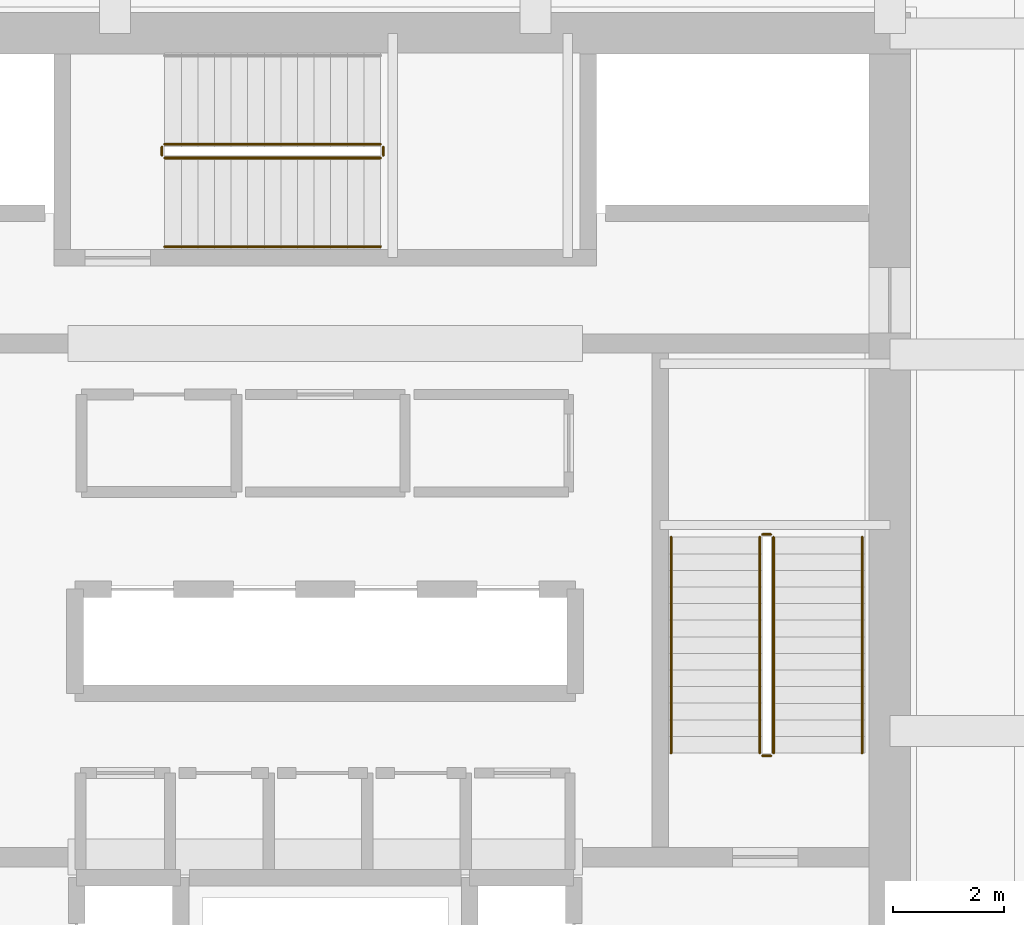
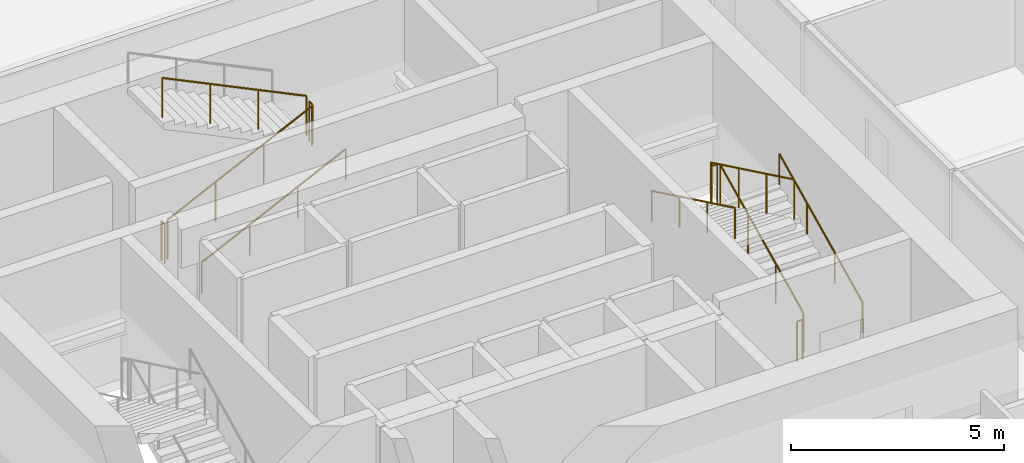
# One storey, part 21 of 28: 11 railings.
"""IFC4 building model written with IfcOpenShell, lengths in metres."""

from ifc_helpers import new_model, si_unit, direction, frame, origin, origin_2d, place, context, subcontext, project, spatial, circle, extrude, material, type_object, element, save


model = new_model("IFC4")

# Units and contexts
model_context = context("Model", 3, precision=1e-05, world=origin(), true_north=direction((0.0, 1.0)))
body_context = subcontext(model_context, "Body", "Model", "MODEL_VIEW")
ifc_project = project(units=[si_unit("LENGTHUNIT", "METRE"), si_unit("AREAUNIT", "SQUARE_METRE"), si_unit("VOLUMEUNIT", "CUBIC_METRE"), si_unit("PLANEANGLEUNIT", "RADIAN"), si_unit("MASSUNIT", "GRAM", prefix="KILO")], contexts=[model_context])

# Site, building, storey
site_placement = place(None, origin())
site = spatial("IfcSite", under=ifc_project, at=site_placement, CompositionType="ELEMENT")
building_placement = place(site_placement, origin())
building = spatial("IfcBuilding", under=site, at=building_placement, Name="Punatoya Terracotta Tower", CompositionType="ELEMENT")
storey_placement = place(building_placement, frame((0.0, 0.0, 93.0)))
storey = spatial("IfcBuildingStorey", under=building, at=storey_placement, Name="L21", CompositionType="ELEMENT", Elevation=93.0)

# Railings
ifc_material = material(Name="Steel S355", Category="steel")
railing_type_1 = type_object("IfcRailingType", Name="RLG-GRD-1150", PredefinedType="GUARDRAIL", material=ifc_material)
railing_1_placement = place(storey_placement, frame((8.10009765625, -3.800048828125, 0.14453125)))
element("IfcRailing", 1, at=railing_1_placement, inside=storey, type_object=railing_type_1, Name="L21 ST-2 stair guard 1", PredefinedType="GUARDRAIL", context=body_context, shape_type="SweptSolid", body=[
    extrude(circle(Radius=0.02392578125, at=origin_2d()), frame((0.0, 0.0, 1.1259765625), z_axis=(0.0, 0.900773802044, 0.434288564841), x_axis=(-1.0, 0.0, 0.0)), (0.0, 0.0, 1.0), 4.329833984375),
    extrude(circle(Radius=0.02099609375, at=origin_2d()), origin(), (0.0, 0.0, 1.0), 1.101806640625),
    extrude(circle(Radius=0.02099609375, at=origin_2d()), frame((0.0, 1.300048828125, 0.626708984375)), (0.0, 0.0, 1.0), 1.101806640625),
    extrude(circle(Radius=0.02099609375, at=origin_2d()), frame((0.0, 2.60009765625, 1.253662109375)), (0.0, 0.0, 1.0), 1.101806640625),
    extrude(circle(Radius=0.02099609375, at=origin_2d()), frame((0.0, 3.900146484375, 1.88037109375)), (0.0, 0.0, 1.0), 1.101806640625),
])
railing_2_placement = place(storey_placement, frame((8.050048828125, 0.14990234375, 2.02490234375)))
element("IfcRailing", 2, at=railing_2_placement, inside=storey, type_object=railing_type_1, Name="L21 ST-2 stair guard 2", PredefinedType="GUARDRAIL", context=body_context, shape_type="SweptSolid", body=[
    extrude(circle(Radius=0.02392578125, at=origin_2d()), frame((0.0, 0.0, 1.1259765625), z_axis=(-1.0, 0.0, 0.0), x_axis=(0.0, -1.0, 0.0)), (0.0, 0.0, 1.0), 0.150146484375),
    extrude(circle(Radius=0.02099609375, at=origin_2d()), origin(), (0.0, 0.0, 1.0), 1.101806640625),
    extrude(circle(Radius=0.02099609375, at=origin_2d()), frame((-0.150146484375, 0.0, 0.0)), (0.0, 0.0, 1.0), 1.101806640625),
])
railing_3_placement = place(storey_placement, frame((7.85009765625, 0.10009765625, 2.169677734375)))
element("IfcRailing", 3, at=railing_3_placement, inside=storey, type_object=railing_type_1, Name="L21 ST-2 stair guard 3", PredefinedType="GUARDRAIL", context=body_context, shape_type="SweptSolid", body=[
    extrude(circle(Radius=0.02392578125, at=origin_2d()), frame((0.0, 0.0, 1.1259765625), z_axis=(0.0, -0.900773802044, 0.434288564841), x_axis=(1.0, 0.0, 0.0)), (0.0, 0.0, 1.0), 4.329833984375),
    extrude(circle(Radius=0.02099609375, at=origin_2d()), origin(), (0.0, 0.0, 1.0), 1.101806640625),
    extrude(circle(Radius=0.02099609375, at=origin_2d()), frame((0.0, -1.300048828125, 0.626708984375)), (0.0, 0.0, 1.0), 1.101806640625),
    extrude(circle(Radius=0.02099609375, at=origin_2d()), frame((0.0, -2.60009765625, 1.253662109375)), (0.0, 0.0, 1.0), 1.101806640625),
    extrude(circle(Radius=0.02099609375, at=origin_2d()), frame((0.0, -3.900146484375, 1.88037109375)), (0.0, 0.0, 1.0), 1.101806640625),
])
railing_4_placement = place(storey_placement, frame((8.050048828125, -3.85009765625, 0.0)))
element("IfcRailing", 4, at=railing_4_placement, inside=storey, type_object=railing_type_1, Name="L21 ST-2 stair guard 4", PredefinedType="GUARDRAIL", context=body_context, shape_type="SweptSolid", body=[
    extrude(circle(Radius=0.02392578125, at=origin_2d()), frame((0.0, 0.0, 1.1259765625), z_axis=(-1.0, 0.0, 0.0), x_axis=(0.0, -1.0, 0.0)), (0.0, 0.0, 1.0), 0.150146484375),
    extrude(circle(Radius=0.02099609375, at=origin_2d()), origin(), (0.0, 0.0, 1.0), 1.101806640625),
    extrude(circle(Radius=0.02099609375, at=origin_2d()), frame((-0.150146484375, 0.0, 0.0)), (0.0, 0.0, 1.0), 1.101806640625),
])
railing_5_placement = place(storey_placement, frame((-2.89990234375, 6.949951171875, 0.14453125)))
element("IfcRailing", 5, at=railing_5_placement, inside=storey, type_object=railing_type_1, Name="L21 ST-3 stair guard 1", PredefinedType="GUARDRAIL", context=body_context, shape_type="SweptSolid", body=[
    extrude(circle(Radius=0.02392578125, at=origin_2d()), frame((0.0, 0.0, 1.1259765625), z_axis=(0.900763166376, 0.0, 0.434310623978), x_axis=(0.0, 1.0, 0.0)), (0.0, 0.0, 1.0), 4.32958984375),
    extrude(circle(Radius=0.02099609375, at=origin_2d()), origin(), (0.0, 0.0, 1.0), 1.101806640625),
    extrude(circle(Radius=0.02099609375, at=origin_2d()), frame((1.300048828125, 0.0, 0.626708984375)), (0.0, 0.0, 1.0), 1.101806640625),
    extrude(circle(Radius=0.02099609375, at=origin_2d()), frame((2.599853515625, 0.0, 1.253662109375)), (0.0, 0.0, 1.0), 1.101806640625),
    extrude(circle(Radius=0.02099609375, at=origin_2d()), frame((3.89990234375, 0.0, 1.88037109375)), (0.0, 0.0, 1.0), 1.101806640625),
])
railing_6_placement = place(storey_placement, frame((1.050048828125, 7.0, 2.02490234375)))
element("IfcRailing", 6, at=railing_6_placement, inside=storey, type_object=railing_type_1, Name="L21 ST-3 stair guard 2", PredefinedType="GUARDRAIL", context=body_context, shape_type="SweptSolid", body=[
    extrude(circle(Radius=0.02392578125, at=origin_2d()), frame((0.0, 0.0, 1.1259765625), z_axis=(0.0, 1.0, 0.0), x_axis=(-1.0, 0.0, 0.0)), (0.0, 0.0, 1.0), 0.14990234375),
    extrude(circle(Radius=0.02099609375, at=origin_2d()), origin(), (0.0, 0.0, 1.0), 1.101806640625),
    extrude(circle(Radius=0.02099609375, at=origin_2d()), frame((0.0, 0.14990234375, 0.0)), (0.0, 0.0, 1.0), 1.101806640625),
])
railing_7_placement = place(storey_placement, frame((1.0, 7.199951171875, 2.169677734375)))
element("IfcRailing", 7, at=railing_7_placement, inside=storey, type_object=railing_type_1, Name="L21 ST-3 stair guard 3", PredefinedType="GUARDRAIL", context=body_context, shape_type="SweptSolid", body=[
    extrude(circle(Radius=0.02392578125, at=origin_2d()), frame((0.0, 0.0, 1.1259765625), z_axis=(-0.900763166376, 0.0, 0.434310623978), x_axis=(0.0, -1.0, 0.0)), (0.0, 0.0, 1.0), 4.32958984375),
    extrude(circle(Radius=0.02099609375, at=origin_2d()), origin(), (0.0, 0.0, 1.0), 1.101806640625),
    extrude(circle(Radius=0.02099609375, at=origin_2d()), frame((-1.300048828125, 0.0, 0.626708984375)), (0.0, 0.0, 1.0), 1.101806640625),
    extrude(circle(Radius=0.02099609375, at=origin_2d()), frame((-2.599853515625, 0.0, 1.253662109375)), (0.0, 0.0, 1.0), 1.101806640625),
    extrude(circle(Radius=0.02099609375, at=origin_2d()), frame((-3.89990234375, 0.0, 1.88037109375)), (0.0, 0.0, 1.0), 1.101806640625),
])
railing_8_placement = place(storey_placement, frame((-2.949951171875, 7.0, 0.0)))
element("IfcRailing", 8, at=railing_8_placement, inside=storey, type_object=railing_type_1, Name="L21 ST-3 stair guard 4", PredefinedType="GUARDRAIL", context=body_context, shape_type="SweptSolid", body=[
    extrude(circle(Radius=0.02392578125, at=origin_2d()), frame((0.0, 0.0, 1.1259765625), z_axis=(0.0, 1.0, 0.0), x_axis=(-1.0, 0.0, 0.0)), (0.0, 0.0, 1.0), 0.14990234375),
    extrude(circle(Radius=0.02099609375, at=origin_2d()), origin(), (0.0, 0.0, 1.0), 1.101806640625),
    extrude(circle(Radius=0.02099609375, at=origin_2d()), frame((0.0, 0.14990234375, 0.0)), (0.0, 0.0, 1.0), 1.101806640625),
])
railing_type_2 = type_object("IfcRailingType", Name="RLG-HND-900", PredefinedType="HANDRAIL", material=ifc_material)
railing_9_placement = place(storey_placement, frame((9.699951171875, -3.800048828125, 0.14453125)))
element("IfcRailing", 9, at=railing_9_placement, inside=storey, type_object=railing_type_2, Name="L21 ST-2 stair handrail 1", PredefinedType="HANDRAIL", context=body_context, shape_type="SweptSolid", body=[
    extrude(circle(Radius=0.02392578125, at=origin_2d()), frame((0.0, 0.0, 0.8759765625), z_axis=(0.0, 0.900773802044, 0.434288564841), x_axis=(-1.0, 0.0, 0.0)), (0.0, 0.0, 1.0), 4.329833984375),
    extrude(circle(Radius=0.02099609375, at=origin_2d()), origin(), (0.0, 0.0, 1.0), 0.851806640625),
    extrude(circle(Radius=0.02099609375, at=origin_2d()), frame((0.0, 1.300048828125, 0.626708984375)), (0.0, 0.0, 1.0), 0.851806640625),
    extrude(circle(Radius=0.02099609375, at=origin_2d()), frame((0.0, 2.60009765625, 1.253662109375)), (0.0, 0.0, 1.0), 0.851806640625),
    extrude(circle(Radius=0.02099609375, at=origin_2d()), frame((0.0, 3.900146484375, 1.88037109375)), (0.0, 0.0, 1.0), 0.851806640625),
])
railing_10_placement = place(storey_placement, frame((6.25, 0.10009765625, 2.169677734375)))
element("IfcRailing", 10, at=railing_10_placement, inside=storey, type_object=railing_type_2, Name="L21 ST-2 stair handrail 2", PredefinedType="HANDRAIL", context=body_context, shape_type="SweptSolid", body=[
    extrude(circle(Radius=0.02392578125, at=origin_2d()), frame((0.0, 0.0, 0.8759765625), z_axis=(0.0, -0.900773802044, 0.434288564841), x_axis=(1.0, 0.0, 0.0)), (0.0, 0.0, 1.0), 4.329833984375),
    extrude(circle(Radius=0.02099609375, at=origin_2d()), origin(), (0.0, 0.0, 1.0), 0.851806640625),
    extrude(circle(Radius=0.02099609375, at=origin_2d()), frame((0.0, -1.300048828125, 0.626708984375)), (0.0, 0.0, 1.0), 0.851806640625),
    extrude(circle(Radius=0.02099609375, at=origin_2d()), frame((0.0, -2.60009765625, 1.253662109375)), (0.0, 0.0, 1.0), 0.851806640625),
    extrude(circle(Radius=0.02099609375, at=origin_2d()), frame((0.0, -3.900146484375, 1.88037109375)), (0.0, 0.0, 1.0), 0.851806640625),
])
railing_11_placement = place(storey_placement, frame((-2.89990234375, 5.35009765625, 0.14453125)))
element("IfcRailing", 11, at=railing_11_placement, inside=storey, type_object=railing_type_2, Name="L21 ST-3 stair handrail 1", PredefinedType="HANDRAIL", context=body_context, shape_type="SweptSolid", body=[
    extrude(circle(Radius=0.02392578125, at=origin_2d()), frame((0.0, 0.0, 0.8759765625), z_axis=(0.900763166376, 0.0, 0.434310623978), x_axis=(0.0, 1.0, 0.0)), (0.0, 0.0, 1.0), 4.32958984375),
    extrude(circle(Radius=0.02099609375, at=origin_2d()), origin(), (0.0, 0.0, 1.0), 0.851806640625),
    extrude(circle(Radius=0.02099609375, at=origin_2d()), frame((1.300048828125, 0.0, 0.626708984375)), (0.0, 0.0, 1.0), 0.851806640625),
    extrude(circle(Radius=0.02099609375, at=origin_2d()), frame((2.599853515625, 0.0, 1.253662109375)), (0.0, 0.0, 1.0), 0.851806640625),
    extrude(circle(Radius=0.02099609375, at=origin_2d()), frame((3.89990234375, 0.0, 1.88037109375)), (0.0, 0.0, 1.0), 0.851806640625),
])

save(model, "model.ifc")
